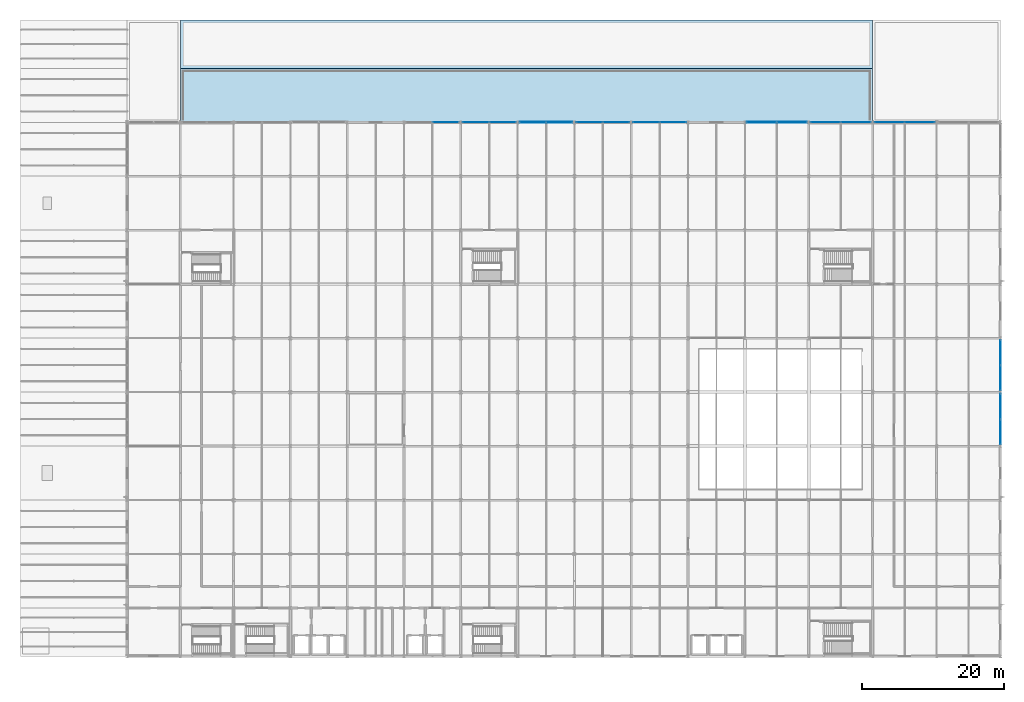
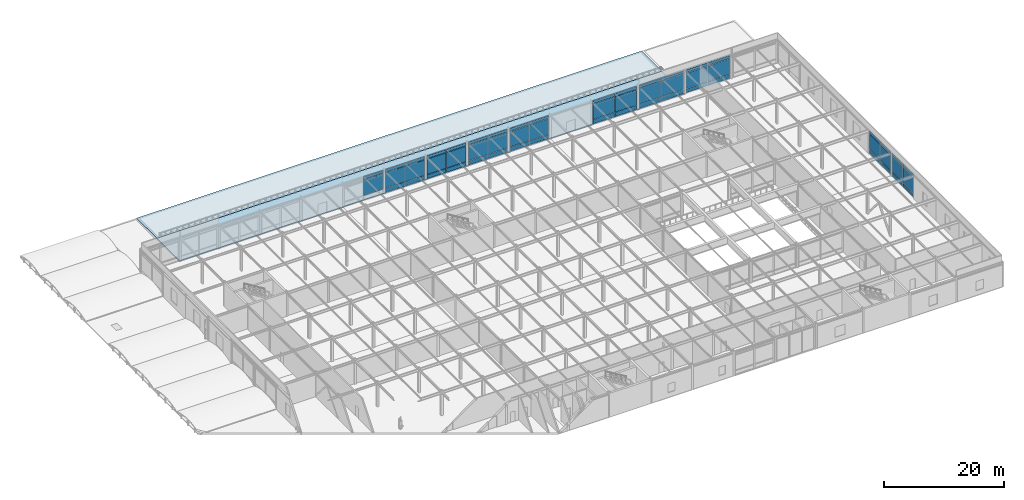
# One storey, part 55 of 79: 56 plates, 2 slabs, 10 elements without a shape of their own.
"""IFC4 building model written with IfcOpenShell, lengths in metres."""

from ifc_helpers import new_model, si_unit, direction, frame, origin, origin_2d, place, context, subcontext, project, spatial, polyline, rectangle, outline, extrude, material, layer, layer_set, type_object, element, aggregate, save


model = new_model("IFC4")

# Units and contexts
model_context = context("Model", 3, precision=1e-05, world=origin(), true_north=direction((0.0, 1.0)))
body_context = subcontext(model_context, "Body", "Model", "MODEL_VIEW")
ifc_project = project(units=[si_unit("LENGTHUNIT", "METRE"), si_unit("AREAUNIT", "SQUARE_METRE"), si_unit("VOLUMEUNIT", "CUBIC_METRE"), si_unit("PLANEANGLEUNIT", "RADIAN"), si_unit("MASSUNIT", "GRAM", prefix="KILO")], contexts=[model_context])

# Site, building, storey
site_placement = place(None, origin())
site = spatial("IfcSite", under=ifc_project, at=site_placement, CompositionType="ELEMENT")
building_placement = place(site_placement, origin())
building = spatial("IfcBuilding", under=site, at=building_placement, Name="Shalkamar Park Central Library", CompositionType="ELEMENT")
storey_placement = place(building_placement, frame((0.0, 0.0, 10.5)))
storey = spatial("IfcBuildingStorey", under=building, at=storey_placement, Name="L03", CompositionType="ELEMENT", Elevation=10.5)

# Slab
ifc_material_1 = material(Name="Concrete C35/45", Category="concrete")
ifc_layer_1 = layer(ifc_material_1, 0.25)
ifc_layer_set_1 = layer_set([ifc_layer_1], Name="Concrete C35/45")
slab_type_1 = type_object("IfcSlabType", Name="Flat Roof Slab 140", PredefinedType="ROOF", material=ifc_layer_set_1)
slab_1_placement = place(storey_placement, frame((0.0, 0.0, -0.25)))
element("IfcSlab", 1, at=slab_1_placement, inside=storey, type_object=slab_type_1, Name="Flat Roof Slab RF-L02-NN", PredefinedType="ROOF", context=body_context, shape_type="SweptSolid", body=[
    extrude(outline(polyline([(157.5, 331.199951171875), (255.0, 331.199951171875), (255.0, 338.0), (157.5, 338.0), (157.5, 331.199951171875)])), origin(), (0.0, 0.0, 1.0), 0.25),
])

# Curtain wall, plates
ifc_material_2 = material(Name="Thermally broken aluminium and triple low-e curtain wall", Category="aluminium")
ifc_layer_2 = layer(ifc_material_2, 0.27001953125)
ifc_layer_set_2 = layer_set([ifc_layer_2], Name="UnitisedCurtainWall_42")
curtain_wall_type_1 = type_object("IfcCurtainWallType", Name="Unitised Curtain Wall 42", PredefinedType="USERDEFINED", material=ifc_layer_set_2)
curtain_wall_1_placement = place(storey_placement, origin())
curtain_wall_1 = element("IfcCurtainWall", 2, at=curtain_wall_1_placement, inside=storey, type_object=curtain_wall_type_1, Name="Unitised Curtain Wall CW-L03-054", ObjectType="UNITISED CURTAIN WALL", PredefinedType="USERDEFINED")
ifc_material_3 = material(Name="Triple-glazed solar-control glass", Category="glass")
ifc_layer_3 = layer(ifc_material_3, 0.031982421875)
ifc_layer_set_3 = layer_set([ifc_layer_3], Name="SolarControlVisionPanel_32")
plate_type_1 = type_object("IfcPlateType", Name="Solar Control Vision Panel 32", PredefinedType="CURTAIN_PANEL", material=ifc_layer_set_3)
plate_1_placement = place(storey_placement, frame((215.126953125, 323.60009765625, 0.06494140625), z_axis=(0.0, 0.0, 1.0), x_axis=(1.0, 0.0, 0.0)))
plate_1 = element("IfcPlate", 3, at=plate_1_placement, type_object=plate_type_1, Name="CW-42 panel 1.1", PredefinedType="CURTAIN_PANEL", context=body_context, shape_type="SweptSolid", body=[
    extrude(rectangle(XDim=3.68603515625, YDim=0.031982421875, at=origin_2d()), origin(), (0.0, 0.0, 1.0), 0.802490234375),
])
plate_2_placement = place(storey_placement, frame((215.126953125, 323.60009765625, 0.9326171875), z_axis=(0.0, 0.0, 1.0), x_axis=(1.0, 0.0, 0.0)))
plate_2 = element("IfcPlate", 4, at=plate_2_placement, type_object=plate_type_1, Name="CW-42 panel 1.2", PredefinedType="CURTAIN_PANEL", context=body_context, shape_type="SweptSolid", body=[
    extrude(rectangle(XDim=3.68603515625, YDim=0.031982421875, at=origin_2d()), origin(), (0.0, 0.0, 1.0), 3.125),
])
plate_3_placement = place(storey_placement, frame((215.126953125, 323.60009765625, 4.12255859375), z_axis=(0.0, 0.0, 1.0), x_axis=(1.0, 0.0, 0.0)))
plate_3 = element("IfcPlate", 5, at=plate_3_placement, type_object=plate_type_1, Name="CW-42 panel 1.3", PredefinedType="CURTAIN_PANEL", context=body_context, shape_type="SweptSolid", body=[
    extrude(rectangle(XDim=3.68603515625, YDim=0.031982421875, at=origin_2d()), origin(), (0.0, 0.0, 1.0), 0.652587890625),
])
plate_4_placement = place(storey_placement, frame((218.89306640625, 323.60009765625, 0.06494140625), z_axis=(0.0, 0.0, 1.0), x_axis=(1.0, 0.0, 0.0)))
plate_4 = element("IfcPlate", 6, at=plate_4_placement, type_object=plate_type_1, Name="CW-42 panel 2.1", PredefinedType="CURTAIN_PANEL", context=body_context, shape_type="SweptSolid", body=[
    extrude(rectangle(XDim=3.68603515625, YDim=0.031982421875, at=origin_2d()), origin(), (0.0, 0.0, 1.0), 0.802490234375),
])
plate_5_placement = place(storey_placement, frame((218.89306640625, 323.60009765625, 0.9326171875), z_axis=(0.0, 0.0, 1.0), x_axis=(1.0, 0.0, 0.0)))
plate_5 = element("IfcPlate", 7, at=plate_5_placement, type_object=plate_type_1, Name="CW-42 panel 2.2", PredefinedType="CURTAIN_PANEL", context=body_context, shape_type="SweptSolid", body=[
    extrude(rectangle(XDim=3.68603515625, YDim=0.031982421875, at=origin_2d()), origin(), (0.0, 0.0, 1.0), 3.125),
])
plate_6_placement = place(storey_placement, frame((218.89306640625, 323.60009765625, 4.12255859375), z_axis=(0.0, 0.0, 1.0), x_axis=(1.0, 0.0, 0.0)))
plate_6 = element("IfcPlate", 8, at=plate_6_placement, type_object=plate_type_1, Name="CW-42 panel 2.3", PredefinedType="CURTAIN_PANEL", context=body_context, shape_type="SweptSolid", body=[
    extrude(rectangle(XDim=3.68603515625, YDim=0.031982421875, at=origin_2d()), origin(), (0.0, 0.0, 1.0), 0.652587890625),
])
aggregate(curtain_wall_1, [plate_1, plate_2, plate_3, plate_4, plate_5, plate_6])

ifc_layer_4 = layer(ifc_material_2, 0.260009765625)
ifc_layer_set_4 = layer_set([ifc_layer_4], Name="UnitisedCurtainWall_47")
curtain_wall_type_2 = type_object("IfcCurtainWallType", Name="Unitised Curtain Wall 47", PredefinedType="USERDEFINED", material=ifc_layer_set_4)
curtain_wall_2_placement = place(storey_placement, origin())
curtain_wall_2 = element("IfcCurtainWall", 9, at=curtain_wall_2_placement, inside=storey, type_object=curtain_wall_type_2, Name="Unitised Curtain Wall CW-L03-057", ObjectType="UNITISED CURTAIN WALL", PredefinedType="USERDEFINED")
plate_7_placement = place(storey_placement, frame((248.375732421875, 323.60009765625, 0.06005859375), z_axis=(0.0, 0.0, 1.0), x_axis=(1.0, 0.0, 0.0)))
plate_7 = element("IfcPlate", 10, at=plate_7_placement, type_object=plate_type_1, Name="CW-47 panel 1.1", PredefinedType="CURTAIN_PANEL", context=body_context, shape_type="SweptSolid", body=[
    extrude(rectangle(XDim=4.193603515625, YDim=0.031982421875, at=origin_2d()), origin(), (0.0, 0.0, 1.0), 0.81005859375),
])
plate_8_placement = place(storey_placement, frame((248.375732421875, 323.60009765625, 0.93017578125), z_axis=(0.0, 0.0, 1.0), x_axis=(1.0, 0.0, 0.0)))
plate_8 = element("IfcPlate", 11, at=plate_8_placement, type_object=plate_type_1, Name="CW-47 panel 1.2", PredefinedType="CURTAIN_PANEL", context=body_context, shape_type="SweptSolid", body=[
    extrude(rectangle(XDim=4.193603515625, YDim=0.031982421875, at=origin_2d()), origin(), (0.0, 0.0, 1.0), 3.1298828125),
])
plate_9_placement = place(storey_placement, frame((248.375732421875, 323.60009765625, 4.1201171875), z_axis=(0.0, 0.0, 1.0), x_axis=(1.0, 0.0, 0.0)))
plate_9 = element("IfcPlate", 12, at=plate_9_placement, type_object=plate_type_1, Name="CW-47 panel 1.3", PredefinedType="CURTAIN_PANEL", context=body_context, shape_type="SweptSolid", body=[
    extrude(rectangle(XDim=4.193603515625, YDim=0.031982421875, at=origin_2d()), origin(), (0.0, 0.0, 1.0), 0.659912109375),
])
plate_10_placement = place(storey_placement, frame((252.644287109375, 323.60009765625, 0.06005859375), z_axis=(0.0, 0.0, 1.0), x_axis=(1.0, 0.0, 0.0)))
plate_10 = element("IfcPlate", 13, at=plate_10_placement, type_object=plate_type_1, Name="CW-47 panel 2.1", PredefinedType="CURTAIN_PANEL", context=body_context, shape_type="SweptSolid", body=[
    extrude(rectangle(XDim=4.193603515625, YDim=0.031982421875, at=origin_2d()), origin(), (0.0, 0.0, 1.0), 0.81005859375),
])
plate_11_placement = place(storey_placement, frame((252.644287109375, 323.60009765625, 0.93017578125), z_axis=(0.0, 0.0, 1.0), x_axis=(1.0, 0.0, 0.0)))
plate_11 = element("IfcPlate", 14, at=plate_11_placement, type_object=plate_type_1, Name="CW-47 panel 2.2", PredefinedType="CURTAIN_PANEL", context=body_context, shape_type="SweptSolid", body=[
    extrude(rectangle(XDim=4.193603515625, YDim=0.031982421875, at=origin_2d()), origin(), (0.0, 0.0, 1.0), 3.1298828125),
])
plate_12_placement = place(storey_placement, frame((252.644287109375, 323.60009765625, 4.1201171875), z_axis=(0.0, 0.0, 1.0), x_axis=(1.0, 0.0, 0.0)))
plate_12 = element("IfcPlate", 15, at=plate_12_placement, type_object=plate_type_1, Name="CW-47 panel 2.3", PredefinedType="CURTAIN_PANEL", context=body_context, shape_type="SweptSolid", body=[
    extrude(rectangle(XDim=4.193603515625, YDim=0.031982421875, at=origin_2d()), origin(), (0.0, 0.0, 1.0), 0.659912109375),
])
aggregate(curtain_wall_2, [plate_7, plate_8, plate_9, plate_10, plate_11, plate_12])

ifc_layer_5 = layer(ifc_material_2, 0.2548828125)
ifc_layer_set_5 = layer_set([ifc_layer_5], Name="UnitisedCurtainWall_45")
curtain_wall_type_3 = type_object("IfcCurtainWallType", Name="Unitised Curtain Wall 45", PredefinedType="USERDEFINED", material=ifc_layer_set_5)
curtain_wall_3_placement = place(storey_placement, origin())
curtain_wall_3 = element("IfcCurtainWall", 16, at=curtain_wall_3_placement, inside=storey, type_object=curtain_wall_type_3, Name="Unitised Curtain Wall CW-L03-053", ObjectType="UNITISED CURTAIN WALL", PredefinedType="USERDEFINED")
ifc_material_4 = material(Name="Insulated aluminium spandrel panel", Category="aluminium")
ifc_layer_6 = layer(ifc_material_4, 0.080078125)
ifc_layer_set_6 = layer_set([ifc_layer_6], Name="SpandrelShadowboxPanel_80")
plate_type_2 = type_object("IfcPlateType", Name="Spandrel Shadowbox Panel 80", PredefinedType="CURTAIN_PANEL", material=ifc_layer_set_6)
plate_13_placement = place(storey_placement, frame((207.10693359375, 323.60009765625, 0.06494140625), z_axis=(0.0, 0.0, 1.0), x_axis=(1.0, 0.0, 0.0)))
plate_13 = element("IfcPlate", 17, at=plate_13_placement, type_object=plate_type_2, Name="CW-45 panel 1.1", PredefinedType="CURTAIN_PANEL", context=body_context, shape_type="SweptSolid", body=[
    extrude(rectangle(XDim=3.68603515625, YDim=0.080078125, at=origin_2d()), origin(), (0.0, 0.0, 1.0), 0.802490234375),
])
plate_14_placement = place(storey_placement, frame((207.10693359375, 323.60009765625, 0.9326171875), z_axis=(0.0, 0.0, 1.0), x_axis=(1.0, 0.0, 0.0)))
plate_14 = element("IfcPlate", 18, at=plate_14_placement, type_object=plate_type_2, Name="CW-45 panel 1.2", PredefinedType="CURTAIN_PANEL", context=body_context, shape_type="SweptSolid", body=[
    extrude(rectangle(XDim=3.68603515625, YDim=0.080078125, at=origin_2d()), origin(), (0.0, 0.0, 1.0), 3.125),
])
plate_15_placement = place(storey_placement, frame((207.10693359375, 323.60009765625, 4.12255859375), z_axis=(0.0, 0.0, 1.0), x_axis=(1.0, 0.0, 0.0)))
plate_15 = element("IfcPlate", 19, at=plate_15_placement, type_object=plate_type_2, Name="CW-45 panel 1.3", PredefinedType="CURTAIN_PANEL", context=body_context, shape_type="SweptSolid", body=[
    extrude(rectangle(XDim=3.68603515625, YDim=0.080078125, at=origin_2d()), origin(), (0.0, 0.0, 1.0), 0.652587890625),
])
plate_16_placement = place(storey_placement, frame((210.873046875, 323.60009765625, 0.06494140625), z_axis=(0.0, 0.0, 1.0), x_axis=(1.0, 0.0, 0.0)))
plate_16 = element("IfcPlate", 20, at=plate_16_placement, type_object=plate_type_2, Name="CW-45 panel 2.1", PredefinedType="CURTAIN_PANEL", context=body_context, shape_type="SweptSolid", body=[
    extrude(rectangle(XDim=3.68603515625, YDim=0.080078125, at=origin_2d()), origin(), (0.0, 0.0, 1.0), 0.802490234375),
])
plate_17_placement = place(storey_placement, frame((210.873046875, 323.60009765625, 0.9326171875), z_axis=(0.0, 0.0, 1.0), x_axis=(1.0, 0.0, 0.0)))
plate_17 = element("IfcPlate", 21, at=plate_17_placement, type_object=plate_type_2, Name="CW-45 panel 2.2", PredefinedType="CURTAIN_PANEL", context=body_context, shape_type="SweptSolid", body=[
    extrude(rectangle(XDim=3.68603515625, YDim=0.080078125, at=origin_2d()), origin(), (0.0, 0.0, 1.0), 3.125),
])
plate_18_placement = place(storey_placement, frame((210.873046875, 323.60009765625, 4.12255859375), z_axis=(0.0, 0.0, 1.0), x_axis=(1.0, 0.0, 0.0)))
plate_18 = element("IfcPlate", 22, at=plate_18_placement, type_object=plate_type_2, Name="CW-45 panel 2.3", PredefinedType="CURTAIN_PANEL", context=body_context, shape_type="SweptSolid", body=[
    extrude(rectangle(XDim=3.68603515625, YDim=0.080078125, at=origin_2d()), origin(), (0.0, 0.0, 1.0), 0.652587890625),
])
aggregate(curtain_wall_3, [plate_13, plate_14, plate_15, plate_16, plate_17, plate_18])

ifc_layer_7 = layer(ifc_material_2, 0.25)
ifc_layer_set_7 = layer_set([ifc_layer_7], Name="UnitisedCurtainWall_46")
curtain_wall_type_4 = type_object("IfcCurtainWallType", Name="Unitised Curtain Wall 46", PredefinedType="USERDEFINED", material=ifc_layer_set_7)
curtain_wall_4_placement = place(storey_placement, origin())
curtain_wall_4 = element("IfcCurtainWall", 23, at=curtain_wall_4_placement, inside=storey, type_object=curtain_wall_type_4, Name="Unitised Curtain Wall CW-L03-056", ObjectType="UNITISED CURTAIN WALL", PredefinedType="USERDEFINED")
plate_19_placement = place(storey_placement, frame((239.355712890625, 323.60009765625, 0.06005859375), z_axis=(0.0, 0.0, 1.0), x_axis=(1.0, 0.0, 0.0)))
plate_19 = element("IfcPlate", 24, at=plate_19_placement, type_object=plate_type_2, Name="CW-46 panel 1.1", PredefinedType="CURTAIN_PANEL", context=body_context, shape_type="SweptSolid", body=[
    extrude(rectangle(XDim=4.193603515625, YDim=0.080078125, at=origin_2d()), origin(), (0.0, 0.0, 1.0), 0.81005859375),
])
plate_20_placement = place(storey_placement, frame((239.355712890625, 323.60009765625, 0.93017578125), z_axis=(0.0, 0.0, 1.0), x_axis=(1.0, 0.0, 0.0)))
plate_20 = element("IfcPlate", 25, at=plate_20_placement, type_object=plate_type_2, Name="CW-46 panel 1.2", PredefinedType="CURTAIN_PANEL", context=body_context, shape_type="SweptSolid", body=[
    extrude(rectangle(XDim=4.193603515625, YDim=0.080078125, at=origin_2d()), origin(), (0.0, 0.0, 1.0), 3.1298828125),
])
plate_21_placement = place(storey_placement, frame((239.355712890625, 323.60009765625, 4.1201171875), z_axis=(0.0, 0.0, 1.0), x_axis=(1.0, 0.0, 0.0)))
plate_21 = element("IfcPlate", 26, at=plate_21_placement, type_object=plate_type_2, Name="CW-46 panel 1.3", PredefinedType="CURTAIN_PANEL", context=body_context, shape_type="SweptSolid", body=[
    extrude(rectangle(XDim=4.193603515625, YDim=0.080078125, at=origin_2d()), origin(), (0.0, 0.0, 1.0), 0.659912109375),
])
plate_22_placement = place(storey_placement, frame((243.624267578125, 323.60009765625, 0.06005859375), z_axis=(0.0, 0.0, 1.0), x_axis=(1.0, 0.0, 0.0)))
plate_22 = element("IfcPlate", 27, at=plate_22_placement, type_object=plate_type_2, Name="CW-46 panel 2.1", PredefinedType="CURTAIN_PANEL", context=body_context, shape_type="SweptSolid", body=[
    extrude(rectangle(XDim=4.193603515625, YDim=0.080078125, at=origin_2d()), origin(), (0.0, 0.0, 1.0), 0.81005859375),
])
plate_23_placement = place(storey_placement, frame((243.624267578125, 323.60009765625, 0.93017578125), z_axis=(0.0, 0.0, 1.0), x_axis=(1.0, 0.0, 0.0)))
plate_23 = element("IfcPlate", 28, at=plate_23_placement, type_object=plate_type_2, Name="CW-46 panel 2.2", PredefinedType="CURTAIN_PANEL", context=body_context, shape_type="SweptSolid", body=[
    extrude(rectangle(XDim=4.193603515625, YDim=0.080078125, at=origin_2d()), origin(), (0.0, 0.0, 1.0), 3.1298828125),
])
plate_24_placement = place(storey_placement, frame((243.624267578125, 323.60009765625, 4.1201171875), z_axis=(0.0, 0.0, 1.0), x_axis=(1.0, 0.0, 0.0)))
plate_24 = element("IfcPlate", 29, at=plate_24_placement, type_object=plate_type_2, Name="CW-46 panel 2.3", PredefinedType="CURTAIN_PANEL", context=body_context, shape_type="SweptSolid", body=[
    extrude(rectangle(XDim=4.193603515625, YDim=0.080078125, at=origin_2d()), origin(), (0.0, 0.0, 1.0), 0.659912109375),
])
aggregate(curtain_wall_4, [plate_19, plate_20, plate_21, plate_22, plate_23, plate_24])

# Slab
ifc_layer_8 = layer(ifc_material_1, 0.239990234375)
ifc_layer_set_8 = layer_set([ifc_layer_8], Name="Concrete C35/45")
slab_type_2 = type_object("IfcSlabType", Name="Suspended Floor Slab 240", PredefinedType="FLOOR", material=ifc_layer_set_8)
slab_2_placement = place(storey_placement, frame((0.0, 0.0, -0.239990234375)))
element("IfcSlab", 30, at=slab_2_placement, inside=storey, type_object=slab_type_2, Name="Outdoor Reading Terrace Slab TER-L03-N", PredefinedType="FLOOR", context=body_context, shape_type="SweptSolid", body=[
    extrude(outline(polyline([(157.5, 323.60009765625), (255.0, 323.60009765625), (255.0, 331.199951171875), (157.5, 331.199951171875), (157.5, 323.60009765625)])), origin(), (0.0, 0.0, 1.0), 0.239990234375),
])

# Curtain wall, plates
ifc_layer_9 = layer(ifc_material_2, 0.260009765625)
ifc_layer_set_9 = layer_set([ifc_layer_9], Name="UnitisedCurtainWall_44")
curtain_wall_type_5 = type_object("IfcCurtainWallType", Name="Unitised Curtain Wall 44", PredefinedType="USERDEFINED", material=ifc_layer_set_9)
curtain_wall_5_placement = place(storey_placement, origin())
curtain_wall_5 = element("IfcCurtainWall", 31, at=curtain_wall_5_placement, inside=storey, type_object=curtain_wall_type_5, Name="Unitised Curtain Wall CW-L03-052", ObjectType="UNITISED CURTAIN WALL", PredefinedType="USERDEFINED")
ifc_material_5 = material(Name="Triple-glazed laminated glass", Category="glass")
ifc_layer_10 = layer(ifc_material_5, 0.06005859375)
ifc_layer_set_10 = layer_set([ifc_layer_10], Name="TripleGlazedPodiumPanel_60")
plate_type_3 = type_object("IfcPlateType", Name="Triple Glazed Podium Panel 60", PredefinedType="CURTAIN_PANEL", material=ifc_layer_set_10)
plate_25_placement = place(storey_placement, frame((199.125732421875, 323.60009765625, 0.06005859375), z_axis=(0.0, 0.0, 1.0), x_axis=(1.0, 0.0, 0.0)))
plate_25 = element("IfcPlate", 32, at=plate_25_placement, type_object=plate_type_3, Name="CW-44 panel 1.1", PredefinedType="CURTAIN_PANEL", context=body_context, shape_type="SweptSolid", body=[
    extrude(rectangle(XDim=3.693603515625, YDim=0.06005859375, at=origin_2d()), origin(), (0.0, 0.0, 1.0), 0.81005859375),
])
plate_26_placement = place(storey_placement, frame((199.125732421875, 323.60009765625, 0.93017578125), z_axis=(0.0, 0.0, 1.0), x_axis=(1.0, 0.0, 0.0)))
plate_26 = element("IfcPlate", 33, at=plate_26_placement, type_object=plate_type_3, Name="CW-44 panel 1.2", PredefinedType="CURTAIN_PANEL", context=body_context, shape_type="SweptSolid", body=[
    extrude(rectangle(XDim=3.693603515625, YDim=0.06005859375, at=origin_2d()), origin(), (0.0, 0.0, 1.0), 3.1298828125),
])
plate_27_placement = place(storey_placement, frame((199.125732421875, 323.60009765625, 4.1201171875), z_axis=(0.0, 0.0, 1.0), x_axis=(1.0, 0.0, 0.0)))
plate_27 = element("IfcPlate", 34, at=plate_27_placement, type_object=plate_type_3, Name="CW-44 panel 1.3", PredefinedType="CURTAIN_PANEL", context=body_context, shape_type="SweptSolid", body=[
    extrude(rectangle(XDim=3.693603515625, YDim=0.06005859375, at=origin_2d()), origin(), (0.0, 0.0, 1.0), 0.659912109375),
])
plate_28_placement = place(storey_placement, frame((202.894287109375, 323.60009765625, 0.06005859375), z_axis=(0.0, 0.0, 1.0), x_axis=(1.0, 0.0, 0.0)))
plate_28 = element("IfcPlate", 35, at=plate_28_placement, type_object=plate_type_3, Name="CW-44 panel 2.1", PredefinedType="CURTAIN_PANEL", context=body_context, shape_type="SweptSolid", body=[
    extrude(rectangle(XDim=3.693603515625, YDim=0.06005859375, at=origin_2d()), origin(), (0.0, 0.0, 1.0), 0.81005859375),
])
plate_29_placement = place(storey_placement, frame((202.894287109375, 323.60009765625, 0.93017578125), z_axis=(0.0, 0.0, 1.0), x_axis=(1.0, 0.0, 0.0)))
plate_29 = element("IfcPlate", 36, at=plate_29_placement, type_object=plate_type_3, Name="CW-44 panel 2.2", PredefinedType="CURTAIN_PANEL", context=body_context, shape_type="SweptSolid", body=[
    extrude(rectangle(XDim=3.693603515625, YDim=0.06005859375, at=origin_2d()), origin(), (0.0, 0.0, 1.0), 3.1298828125),
])
plate_30_placement = place(storey_placement, frame((202.894287109375, 323.60009765625, 4.1201171875), z_axis=(0.0, 0.0, 1.0), x_axis=(1.0, 0.0, 0.0)))
plate_30 = element("IfcPlate", 37, at=plate_30_placement, type_object=plate_type_3, Name="CW-44 panel 2.3", PredefinedType="CURTAIN_PANEL", context=body_context, shape_type="SweptSolid", body=[
    extrude(rectangle(XDim=3.693603515625, YDim=0.06005859375, at=origin_2d()), origin(), (0.0, 0.0, 1.0), 0.659912109375),
])
aggregate(curtain_wall_5, [plate_25, plate_26, plate_27, plate_28, plate_29, plate_30])

ifc_layer_11 = layer(ifc_material_2, 0.27001953125)
ifc_layer_set_11 = layer_set([ifc_layer_11], Name="UnitisedCurtainWall_50")
curtain_wall_type_6 = type_object("IfcCurtainWallType", Name="Unitised Curtain Wall 50", PredefinedType="USERDEFINED", material=ifc_layer_set_11)
curtain_wall_6_placement = place(storey_placement, origin())
curtain_wall_6 = element("IfcCurtainWall", 38, at=curtain_wall_6_placement, inside=storey, type_object=curtain_wall_type_6, Name="Unitised Curtain Wall CW-L03-064", ObjectType="UNITISED CURTAIN WALL", PredefinedType="USERDEFINED")
plate_31_placement = place(storey_placement, frame((273.0, 287.612060546875, 0.06494140625), z_axis=(0.0, 0.0, 1.0), x_axis=(0.0, 1.0, 0.0)))
plate_31 = element("IfcPlate", 39, at=plate_31_placement, type_object=plate_type_3, Name="CW-50 panel 1.1", PredefinedType="CURTAIN_PANEL", context=body_context, shape_type="SweptSolid", body=[
    extrude(rectangle(XDim=3.49609375, YDim=0.06005859375, at=origin_2d()), origin(), (0.0, 0.0, 1.0), 0.802490234375),
])
plate_32_placement = place(storey_placement, frame((273.0, 287.612060546875, 0.9326171875), z_axis=(0.0, 0.0, 1.0), x_axis=(0.0, 1.0, 0.0)))
plate_32 = element("IfcPlate", 40, at=plate_32_placement, type_object=plate_type_3, Name="CW-50 panel 1.2", PredefinedType="CURTAIN_PANEL", context=body_context, shape_type="SweptSolid", body=[
    extrude(rectangle(XDim=3.49609375, YDim=0.06005859375, at=origin_2d()), origin(), (0.0, 0.0, 1.0), 3.135009765625),
])
plate_33_placement = place(storey_placement, frame((273.0, 287.612060546875, 4.13232421875), z_axis=(0.0, 0.0, 1.0), x_axis=(0.0, 1.0, 0.0)))
plate_33 = element("IfcPlate", 41, at=plate_33_placement, type_object=plate_type_3, Name="CW-50 panel 1.3", PredefinedType="CURTAIN_PANEL", context=body_context, shape_type="SweptSolid", body=[
    extrude(rectangle(XDim=3.49609375, YDim=0.06005859375, at=origin_2d()), origin(), (0.0, 0.0, 1.0), 0.652587890625),
])
plate_34_placement = place(storey_placement, frame((273.0, 291.18798828125, 0.06494140625), z_axis=(0.0, 0.0, 1.0), x_axis=(0.0, 1.0, 0.0)))
plate_34 = element("IfcPlate", 42, at=plate_34_placement, type_object=plate_type_3, Name="CW-50 panel 2.1", PredefinedType="CURTAIN_PANEL", context=body_context, shape_type="SweptSolid", body=[
    extrude(rectangle(XDim=3.49609375, YDim=0.06005859375, at=origin_2d()), origin(), (0.0, 0.0, 1.0), 0.802490234375),
])
plate_35_placement = place(storey_placement, frame((273.0, 291.18798828125, 0.9326171875), z_axis=(0.0, 0.0, 1.0), x_axis=(0.0, 1.0, 0.0)))
plate_35 = element("IfcPlate", 43, at=plate_35_placement, type_object=plate_type_3, Name="CW-50 panel 2.2", PredefinedType="CURTAIN_PANEL", context=body_context, shape_type="SweptSolid", body=[
    extrude(rectangle(XDim=3.49609375, YDim=0.06005859375, at=origin_2d()), origin(), (0.0, 0.0, 1.0), 3.135009765625),
])
plate_36_placement = place(storey_placement, frame((273.0, 291.18798828125, 4.13232421875), z_axis=(0.0, 0.0, 1.0), x_axis=(0.0, 1.0, 0.0)))
plate_36 = element("IfcPlate", 44, at=plate_36_placement, type_object=plate_type_3, Name="CW-50 panel 2.3", PredefinedType="CURTAIN_PANEL", context=body_context, shape_type="SweptSolid", body=[
    extrude(rectangle(XDim=3.49609375, YDim=0.06005859375, at=origin_2d()), origin(), (0.0, 0.0, 1.0), 0.652587890625),
])
aggregate(curtain_wall_6, [plate_31, plate_32, plate_33, plate_34, plate_35, plate_36])

ifc_layer_12 = layer(ifc_material_2, 0.25)
ifc_layer_set_12 = layer_set([ifc_layer_12], Name="UnitisedCurtainWall_43")
curtain_wall_type_7 = type_object("IfcCurtainWallType", Name="Unitised Curtain Wall 43", PredefinedType="USERDEFINED", material=ifc_layer_set_12)
curtain_wall_7_placement = place(storey_placement, origin())
curtain_wall_7 = element("IfcCurtainWall", 45, at=curtain_wall_7_placement, inside=storey, type_object=curtain_wall_type_7, Name="Unitised Curtain Wall CW-L03-051", ObjectType="UNITISED CURTAIN WALL", PredefinedType="USERDEFINED")
ifc_material_6 = material(Name="Triple-glazed low-e safety glass", Category="glass")
ifc_layer_13 = layer(ifc_material_6, 0.0439453125)
ifc_layer_set_13 = layer_set([ifc_layer_13], Name="TripleGlazedVisionPanel_44")
plate_type_4 = type_object("IfcPlateType", Name="Triple Glazed Vision Panel 44", PredefinedType="CURTAIN_PANEL", material=ifc_layer_set_13)
plate_37_placement = place(storey_placement, frame((194.874267578125, 323.60009765625, 0.93017578125), z_axis=(0.0, 0.0, 1.0), x_axis=(1.0, 0.0, 0.0)))
plate_37 = element("IfcPlate", 46, at=plate_37_placement, type_object=plate_type_4, Name="CW-43 panel 2.2", PredefinedType="CURTAIN_PANEL", context=body_context, shape_type="SweptSolid", body=[
    extrude(rectangle(XDim=3.693603515625, YDim=0.0439453125, at=origin_2d()), origin(), (0.0, 0.0, 1.0), 3.1298828125),
])
plate_38_placement = place(storey_placement, frame((194.874267578125, 323.60009765625, 4.1201171875), z_axis=(0.0, 0.0, 1.0), x_axis=(1.0, 0.0, 0.0)))
plate_38 = element("IfcPlate", 47, at=plate_38_placement, type_object=plate_type_4, Name="CW-43 panel 2.3", PredefinedType="CURTAIN_PANEL", context=body_context, shape_type="SweptSolid", body=[
    extrude(rectangle(XDim=3.693603515625, YDim=0.0439453125, at=origin_2d()), origin(), (0.0, 0.0, 1.0), 0.659912109375),
])
aggregate(curtain_wall_7, [plate_37, plate_38])

ifc_layer_14 = layer(ifc_material_2, 0.264892578125)
ifc_layer_set_14 = layer_set([ifc_layer_14], Name="UnitisedCurtainWall_40")
curtain_wall_type_8 = type_object("IfcCurtainWallType", Name="Unitised Curtain Wall 40", PredefinedType="USERDEFINED", material=ifc_layer_set_14)
curtain_wall_8_placement = place(storey_placement, origin())
curtain_wall_8 = element("IfcCurtainWall", 48, at=curtain_wall_8_placement, inside=storey, type_object=curtain_wall_type_8, Name="Unitised Curtain Wall CW-L03-055", ObjectType="UNITISED CURTAIN WALL", PredefinedType="USERDEFINED")
plate_39_placement = place(storey_placement, frame((223.108154296875, 323.60009765625, 0.070068359375), z_axis=(0.0, 0.0, 1.0), x_axis=(1.0, 0.0, 0.0)))
plate_39 = element("IfcPlate", 49, at=plate_39_placement, type_object=plate_type_4, Name="CW-40 panel 1.1", PredefinedType="CURTAIN_PANEL", context=body_context, shape_type="SweptSolid", body=[
    extrude(rectangle(XDim=3.678466796875, YDim=0.0439453125, at=origin_2d()), origin(), (0.0, 0.0, 1.0), 0.794921875),
])
plate_40_placement = place(storey_placement, frame((223.108154296875, 323.60009765625, 0.93505859375), z_axis=(0.0, 0.0, 1.0), x_axis=(1.0, 0.0, 0.0)))
plate_40 = element("IfcPlate", 50, at=plate_40_placement, type_object=plate_type_4, Name="CW-40 panel 1.2", PredefinedType="CURTAIN_PANEL", context=body_context, shape_type="SweptSolid", body=[
    extrude(rectangle(XDim=3.678466796875, YDim=0.0439453125, at=origin_2d()), origin(), (0.0, 0.0, 1.0), 3.1201171875),
])
plate_41_placement = place(storey_placement, frame((223.108154296875, 323.60009765625, 4.125), z_axis=(0.0, 0.0, 1.0), x_axis=(1.0, 0.0, 0.0)))
plate_41 = element("IfcPlate", 51, at=plate_41_placement, type_object=plate_type_4, Name="CW-40 panel 1.3", PredefinedType="CURTAIN_PANEL", context=body_context, shape_type="SweptSolid", body=[
    extrude(rectangle(XDim=3.678466796875, YDim=0.0439453125, at=origin_2d()), origin(), (0.0, 0.0, 1.0), 0.64501953125),
])
plate_42_placement = place(storey_placement, frame((226.871826171875, 323.60009765625, 0.070068359375), z_axis=(0.0, 0.0, 1.0), x_axis=(1.0, 0.0, 0.0)))
plate_42 = element("IfcPlate", 52, at=plate_42_placement, type_object=plate_type_4, Name="CW-40 panel 2.1", PredefinedType="CURTAIN_PANEL", context=body_context, shape_type="SweptSolid", body=[
    extrude(rectangle(XDim=3.678466796875, YDim=0.0439453125, at=origin_2d()), origin(), (0.0, 0.0, 1.0), 0.794921875),
])
plate_43_placement = place(storey_placement, frame((226.871826171875, 323.60009765625, 0.93505859375), z_axis=(0.0, 0.0, 1.0), x_axis=(1.0, 0.0, 0.0)))
plate_43 = element("IfcPlate", 53, at=plate_43_placement, type_object=plate_type_4, Name="CW-40 panel 2.2", PredefinedType="CURTAIN_PANEL", context=body_context, shape_type="SweptSolid", body=[
    extrude(rectangle(XDim=3.678466796875, YDim=0.0439453125, at=origin_2d()), origin(), (0.0, 0.0, 1.0), 3.1201171875),
])
plate_44_placement = place(storey_placement, frame((226.871826171875, 323.60009765625, 4.125), z_axis=(0.0, 0.0, 1.0), x_axis=(1.0, 0.0, 0.0)))
plate_44 = element("IfcPlate", 54, at=plate_44_placement, type_object=plate_type_4, Name="CW-40 panel 2.3", PredefinedType="CURTAIN_PANEL", context=body_context, shape_type="SweptSolid", body=[
    extrude(rectangle(XDim=3.678466796875, YDim=0.0439453125, at=origin_2d()), origin(), (0.0, 0.0, 1.0), 0.64501953125),
])
aggregate(curtain_wall_8, [plate_39, plate_40, plate_41, plate_42, plate_43, plate_44])

ifc_layer_15 = layer(ifc_material_2, 0.2548828125)
ifc_layer_set_15 = layer_set([ifc_layer_15], Name="UnitisedCurtainWall_35")
curtain_wall_type_9 = type_object("IfcCurtainWallType", Name="Unitised Curtain Wall 35", PredefinedType="USERDEFINED", material=ifc_layer_set_15)
curtain_wall_9_placement = place(storey_placement, origin())
curtain_wall_9 = element("IfcCurtainWall", 55, at=curtain_wall_9_placement, inside=storey, type_object=curtain_wall_type_9, Name="Unitised Curtain Wall CW-L03-058", ObjectType="UNITISED CURTAIN WALL", PredefinedType="USERDEFINED")
plate_45_placement = place(storey_placement, frame((257.35693359375, 323.60009765625, 0.06494140625), z_axis=(0.0, 0.0, 1.0), x_axis=(1.0, 0.0, 0.0)))
plate_45 = element("IfcPlate", 56, at=plate_45_placement, type_object=plate_type_4, Name="CW-35 panel 1.1", PredefinedType="CURTAIN_PANEL", context=body_context, shape_type="SweptSolid", body=[
    extrude(rectangle(XDim=4.18603515625, YDim=0.0439453125, at=origin_2d()), origin(), (0.0, 0.0, 1.0), 0.802490234375),
])
plate_46_placement = place(storey_placement, frame((257.35693359375, 323.60009765625, 0.9326171875), z_axis=(0.0, 0.0, 1.0), x_axis=(1.0, 0.0, 0.0)))
plate_46 = element("IfcPlate", 57, at=plate_46_placement, type_object=plate_type_4, Name="CW-35 panel 1.2", PredefinedType="CURTAIN_PANEL", context=body_context, shape_type="SweptSolid", body=[
    extrude(rectangle(XDim=4.18603515625, YDim=0.0439453125, at=origin_2d()), origin(), (0.0, 0.0, 1.0), 3.135009765625),
])
plate_47_placement = place(storey_placement, frame((257.35693359375, 323.60009765625, 4.13232421875), z_axis=(0.0, 0.0, 1.0), x_axis=(1.0, 0.0, 0.0)))
plate_47 = element("IfcPlate", 58, at=plate_47_placement, type_object=plate_type_4, Name="CW-35 panel 1.3", PredefinedType="CURTAIN_PANEL", context=body_context, shape_type="SweptSolid", body=[
    extrude(rectangle(XDim=4.18603515625, YDim=0.0439453125, at=origin_2d()), origin(), (0.0, 0.0, 1.0), 0.652587890625),
])
plate_48_placement = place(storey_placement, frame((261.623046875, 323.60009765625, 0.06494140625), z_axis=(0.0, 0.0, 1.0), x_axis=(1.0, 0.0, 0.0)))
plate_48 = element("IfcPlate", 59, at=plate_48_placement, type_object=plate_type_4, Name="CW-35 panel 2.1", PredefinedType="CURTAIN_PANEL", context=body_context, shape_type="SweptSolid", body=[
    extrude(rectangle(XDim=4.18603515625, YDim=0.0439453125, at=origin_2d()), origin(), (0.0, 0.0, 1.0), 0.802490234375),
])
plate_49_placement = place(storey_placement, frame((261.623046875, 323.60009765625, 0.9326171875), z_axis=(0.0, 0.0, 1.0), x_axis=(1.0, 0.0, 0.0)))
plate_49 = element("IfcPlate", 60, at=plate_49_placement, type_object=plate_type_4, Name="CW-35 panel 2.2", PredefinedType="CURTAIN_PANEL", context=body_context, shape_type="SweptSolid", body=[
    extrude(rectangle(XDim=4.18603515625, YDim=0.0439453125, at=origin_2d()), origin(), (0.0, 0.0, 1.0), 3.135009765625),
])
plate_50_placement = place(storey_placement, frame((261.623046875, 323.60009765625, 4.13232421875), z_axis=(0.0, 0.0, 1.0), x_axis=(1.0, 0.0, 0.0)))
plate_50 = element("IfcPlate", 61, at=plate_50_placement, type_object=plate_type_4, Name="CW-35 panel 2.3", PredefinedType="CURTAIN_PANEL", context=body_context, shape_type="SweptSolid", body=[
    extrude(rectangle(XDim=4.18603515625, YDim=0.0439453125, at=origin_2d()), origin(), (0.0, 0.0, 1.0), 0.652587890625),
])
aggregate(curtain_wall_9, [plate_45, plate_46, plate_47, plate_48, plate_49, plate_50])

ifc_layer_16 = layer(ifc_material_2, 0.2548828125)
ifc_layer_set_16 = layer_set([ifc_layer_16], Name="UnitisedCurtainWall_49")
curtain_wall_type_10 = type_object("IfcCurtainWallType", Name="Unitised Curtain Wall 49", PredefinedType="USERDEFINED", material=ifc_layer_set_16)
curtain_wall_10_placement = place(storey_placement, origin())
curtain_wall_10 = element("IfcCurtainWall", 62, at=curtain_wall_10_placement, inside=storey, type_object=curtain_wall_type_10, Name="Unitised Curtain Wall CW-L03-063", ObjectType="UNITISED CURTAIN WALL", PredefinedType="USERDEFINED")
plate_51_placement = place(storey_placement, frame((273.0, 280.011962890625, 0.06494140625), z_axis=(0.0, 0.0, 1.0), x_axis=(0.0, 1.0, 0.0)))
plate_51 = element("IfcPlate", 63, at=plate_51_placement, type_object=plate_type_4, Name="CW-49 panel 1.1", PredefinedType="CURTAIN_PANEL", context=body_context, shape_type="SweptSolid", body=[
    extrude(rectangle(XDim=3.49609375, YDim=0.0439453125, at=origin_2d()), origin(), (0.0, 0.0, 1.0), 0.802490234375),
])
plate_52_placement = place(storey_placement, frame((273.0, 280.011962890625, 0.9326171875), z_axis=(0.0, 0.0, 1.0), x_axis=(0.0, 1.0, 0.0)))
plate_52 = element("IfcPlate", 64, at=plate_52_placement, type_object=plate_type_4, Name="CW-49 panel 1.2", PredefinedType="CURTAIN_PANEL", context=body_context, shape_type="SweptSolid", body=[
    extrude(rectangle(XDim=3.49609375, YDim=0.0439453125, at=origin_2d()), origin(), (0.0, 0.0, 1.0), 3.135009765625),
])
plate_53_placement = place(storey_placement, frame((273.0, 280.011962890625, 4.13232421875), z_axis=(0.0, 0.0, 1.0), x_axis=(0.0, 1.0, 0.0)))
plate_53 = element("IfcPlate", 65, at=plate_53_placement, type_object=plate_type_4, Name="CW-49 panel 1.3", PredefinedType="CURTAIN_PANEL", context=body_context, shape_type="SweptSolid", body=[
    extrude(rectangle(XDim=3.49609375, YDim=0.0439453125, at=origin_2d()), origin(), (0.0, 0.0, 1.0), 0.652587890625),
])
plate_54_placement = place(storey_placement, frame((273.0, 283.587890625, 0.06494140625), z_axis=(0.0, 0.0, 1.0), x_axis=(0.0, 1.0, 0.0)))
plate_54 = element("IfcPlate", 66, at=plate_54_placement, type_object=plate_type_4, Name="CW-49 panel 2.1", PredefinedType="CURTAIN_PANEL", context=body_context, shape_type="SweptSolid", body=[
    extrude(rectangle(XDim=3.49609375, YDim=0.0439453125, at=origin_2d()), origin(), (0.0, 0.0, 1.0), 0.802490234375),
])
plate_55_placement = place(storey_placement, frame((273.0, 283.587890625, 0.9326171875), z_axis=(0.0, 0.0, 1.0), x_axis=(0.0, 1.0, 0.0)))
plate_55 = element("IfcPlate", 67, at=plate_55_placement, type_object=plate_type_4, Name="CW-49 panel 2.2", PredefinedType="CURTAIN_PANEL", context=body_context, shape_type="SweptSolid", body=[
    extrude(rectangle(XDim=3.49609375, YDim=0.0439453125, at=origin_2d()), origin(), (0.0, 0.0, 1.0), 3.135009765625),
])
plate_56_placement = place(storey_placement, frame((273.0, 283.587890625, 4.13232421875), z_axis=(0.0, 0.0, 1.0), x_axis=(0.0, 1.0, 0.0)))
plate_56 = element("IfcPlate", 68, at=plate_56_placement, type_object=plate_type_4, Name="CW-49 panel 2.3", PredefinedType="CURTAIN_PANEL", context=body_context, shape_type="SweptSolid", body=[
    extrude(rectangle(XDim=3.49609375, YDim=0.0439453125, at=origin_2d()), origin(), (0.0, 0.0, 1.0), 0.652587890625),
])
aggregate(curtain_wall_10, [plate_51, plate_52, plate_53, plate_54, plate_55, plate_56])

save(model, "model.ifc")
